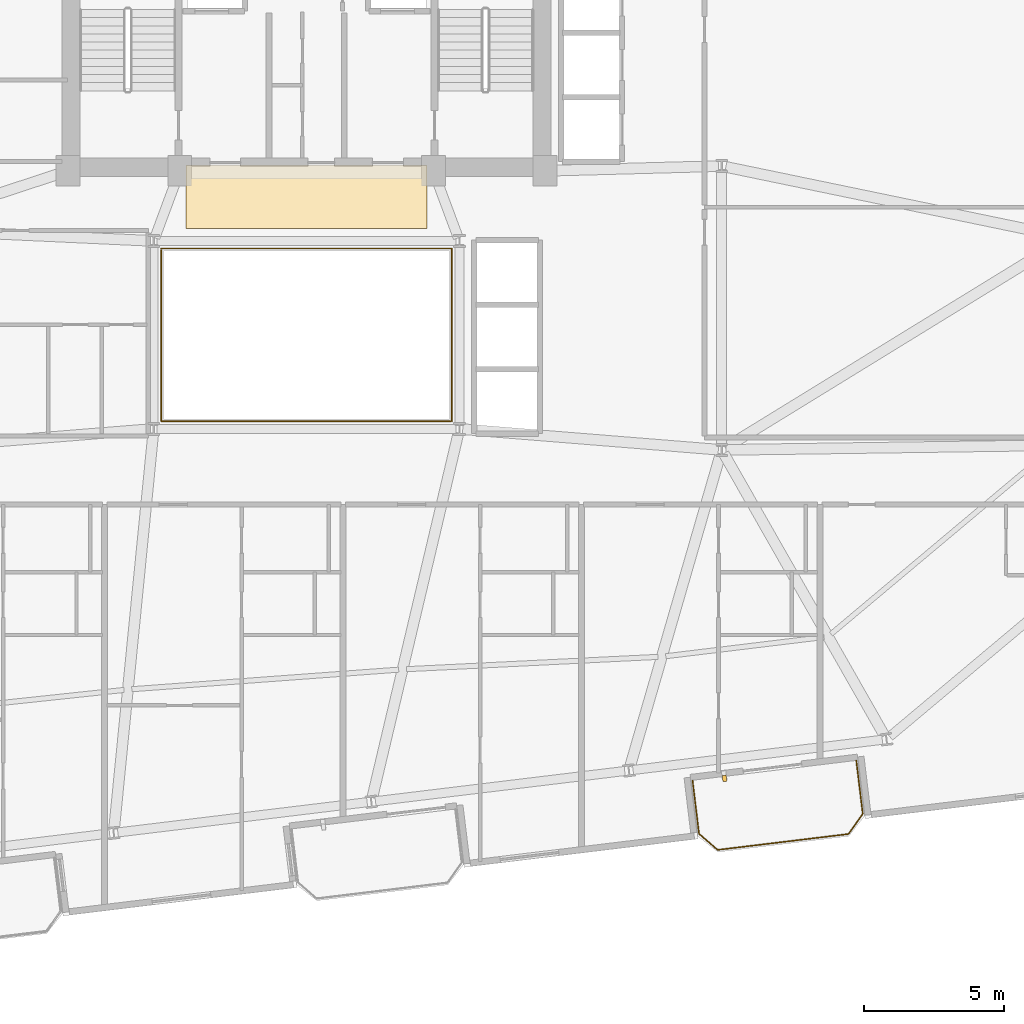
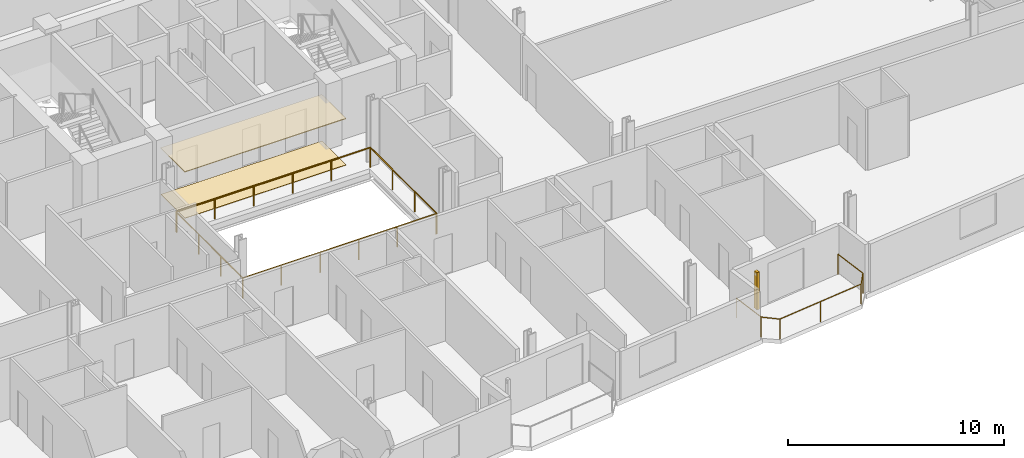
# One storey, part 21 of 23: 3 railings, 2 coverings, 1 shading device.
"""IFC4 building model written with IfcOpenShell, lengths in metres."""

from ifc_helpers import new_model, si_unit, direction, frame, origin, origin_2d, place, context, subcontext, project, spatial, rectangle, circle, extrude, source, transform, mapped, material, layer, layer_set, type_object, element, save


model = new_model("IFC4")

# Units and contexts
model_context = context("Model", 3, precision=1e-05, world=origin(), true_north=direction((0.0, 1.0)))
body_context = subcontext(model_context, "Body", "Model", "MODEL_VIEW")
ifc_project = project(units=[si_unit("LENGTHUNIT", "METRE"), si_unit("AREAUNIT", "SQUARE_METRE"), si_unit("VOLUMEUNIT", "CUBIC_METRE"), si_unit("PLANEANGLEUNIT", "RADIAN"), si_unit("MASSUNIT", "GRAM", prefix="KILO")], contexts=[model_context])

# Site, building, storey
site_placement = place(None, origin())
site = spatial("IfcSite", under=ifc_project, at=site_placement, CompositionType="ELEMENT")
building_placement = place(site_placement, origin())
building = spatial("IfcBuilding", under=site, at=building_placement, Name="Varnelok Gate Tower", CompositionType="ELEMENT")
storey_placement = place(building_placement, frame((0.0, 0.0, 189.39990234375)))
storey = spatial("IfcBuildingStorey", under=building, at=storey_placement, Name="L48", CompositionType="ELEMENT", Elevation=189.39990234375)

# Railings
ifc_material_1 = material(Name="Tempered Laminated Balustrade Glass", Category="glass")
railing_type_1 = type_object("IfcRailingType", Name="RL-ATR-GUARD1150", PredefinedType="GUARDRAIL", material=ifc_material_1)
railing_1_placement = place(storey_placement, frame((34.02001953125, 25.929931640625, 0.0)))
element("IfcRailing", 1, at=railing_1_placement, inside=storey, type_object=railing_type_1, Name="L48 Internal Atrium South-West Guardrail", PredefinedType="GUARDRAIL", context=body_context, shape_type="SweptSolid", body=[
    extrude(circle(Radius=0.02392578125, at=origin_2d()), frame((0.0, 0.0, 1.1259765625), z_axis=(0.0, -1.0, 0.0), x_axis=(1.0, 0.0, 0.0)), (0.0, 0.0, 1.0), 6.10986328125),
    extrude(circle(Radius=0.02392578125, at=origin_2d()), frame((0.0, -6.10986328125, 1.1259765625), z_axis=(1.0, 0.0, 0.0), x_axis=(0.0, 1.0, 0.0)), (0.0, 0.0, 1.0), 10.31005859375),
    extrude(circle(Radius=0.02099609375, at=origin_2d()), origin(), (0.0, 0.0, 1.0), 1.101806640625),
    extrude(circle(Radius=0.02099609375, at=origin_2d()), frame((0.0, -2.03662109375, 0.0)), (0.0, 0.0, 1.0), 1.101806640625),
    extrude(circle(Radius=0.02099609375, at=origin_2d()), frame((0.0, -4.0732421875, 0.0)), (0.0, 0.0, 1.0), 1.101806640625),
    extrude(circle(Radius=0.02099609375, at=origin_2d()), frame((0.0, -6.10986328125, 0.0)), (0.0, 0.0, 1.0), 1.101806640625),
    extrude(circle(Radius=0.02099609375, at=origin_2d()), frame((2.06201171875, -6.10986328125, 0.0)), (0.0, 0.0, 1.0), 1.101806640625),
    extrude(circle(Radius=0.02099609375, at=origin_2d()), frame((4.1240234375, -6.10986328125, 0.0)), (0.0, 0.0, 1.0), 1.101806640625),
    extrude(circle(Radius=0.02099609375, at=origin_2d()), frame((6.18603515625, -6.10986328125, 0.0)), (0.0, 0.0, 1.0), 1.101806640625),
    extrude(circle(Radius=0.02099609375, at=origin_2d()), frame((8.248046875, -6.10986328125, 0.0)), (0.0, 0.0, 1.0), 1.101806640625),
    extrude(circle(Radius=0.02099609375, at=origin_2d()), frame((10.31005859375, -6.10986328125, 0.0)), (0.0, 0.0, 1.0), 1.101806640625),
])
railing_2_placement = place(storey_placement, frame((44.3798828125, 19.820068359375, 0.0)))
element("IfcRailing", 2, at=railing_2_placement, inside=storey, type_object=railing_type_1, Name="L48 Internal Atrium North-East Guardrail", PredefinedType="GUARDRAIL", context=body_context, shape_type="SweptSolid", body=[
    extrude(circle(Radius=0.02392578125, at=origin_2d()), frame((0.0, 0.0, 1.1259765625), z_axis=(0.0, 1.0, 0.0), x_axis=(-1.0, 0.0, 0.0)), (0.0, 0.0, 1.0), 6.159912109375),
    extrude(circle(Radius=0.02392578125, at=origin_2d()), frame((0.0, 6.159912109375, 1.1259765625), z_axis=(-1.0, 0.0, 0.0), x_axis=(0.0, -1.0, 0.0)), (0.0, 0.0, 1.0), 10.35986328125),
    extrude(circle(Radius=0.02099609375, at=origin_2d()), origin(), (0.0, 0.0, 1.0), 1.101806640625),
    extrude(circle(Radius=0.02099609375, at=origin_2d()), frame((0.0, 2.05322265625, 0.0)), (0.0, 0.0, 1.0), 1.101806640625),
    extrude(circle(Radius=0.02099609375, at=origin_2d()), frame((0.0, 4.106689453125, 0.0)), (0.0, 0.0, 1.0), 1.101806640625),
    extrude(circle(Radius=0.02099609375, at=origin_2d()), frame((0.0, 6.159912109375, 0.0)), (0.0, 0.0, 1.0), 1.101806640625),
    extrude(circle(Radius=0.02099609375, at=origin_2d()), frame((-2.072021484375, 6.159912109375, 0.0)), (0.0, 0.0, 1.0), 1.101806640625),
    extrude(circle(Radius=0.02099609375, at=origin_2d()), frame((-4.14404296875, 6.159912109375, 0.0)), (0.0, 0.0, 1.0), 1.101806640625),
    extrude(circle(Radius=0.02099609375, at=origin_2d()), frame((-6.2158203125, 6.159912109375, 0.0)), (0.0, 0.0, 1.0), 1.101806640625),
    extrude(circle(Radius=0.02099609375, at=origin_2d()), frame((-8.287841796875, 6.159912109375, 0.0)), (0.0, 0.0, 1.0), 1.101806640625),
    extrude(circle(Radius=0.02099609375, at=origin_2d()), frame((-10.35986328125, 6.159912109375, 0.0)), (0.0, 0.0, 1.0), 1.101806640625),
])
ifc_material_2 = material(Name="Low-E Laminated Double Glazing IGU", Category="glass")
railing_type_2 = type_object("IfcRailingType", Name="RL-BALC-1150", PredefinedType="BALUSTRADE", material=ifc_material_2)
railing_3_placement = place(storey_placement, frame((52.95947265625, 7.023193359375, 0.0)))
element("IfcRailing", 3, at=railing_3_placement, inside=storey, type_object=railing_type_2, Name="L48 South Terrace Balustrade 3", PredefinedType="BALUSTRADE", context=body_context, shape_type="SweptSolid", body=[
    extrude(circle(Radius=0.02392578125, at=origin_2d()), frame((0.0, 0.0, 1.1259765625), z_axis=(0.12040351024, -0.992725034802, 0.0), x_axis=(0.992725034802, 0.12040351024, 0.0)), (0.0, 0.0, 1.0), 1.920166015625),
    extrude(circle(Radius=0.02392578125, at=origin_2d()), frame((0.231201171875, -1.90625, 1.1259765625), z_axis=(0.756303655992, -0.654220742513, 0.0), x_axis=(0.654220742513, 0.756303655992, 0.0)), (0.0, 0.0, 1.0), 0.877685546875),
    extrude(circle(Radius=0.02392578125, at=origin_2d()), frame((0.89501953125, -2.48046875, 1.1259765625), z_axis=(0.99273133746, 0.120351533534, 0.0), x_axis=(-0.120351533534, 0.99273133746, 0.0)), (0.0, 0.0, 1.0), 4.7001953125),
    extrude(circle(Radius=0.02392578125, at=origin_2d()), frame((5.56103515625, -1.914794921875, 1.1259765625), z_axis=(0.577971037086, 0.816057277579, 0.0), x_axis=(-0.816057277579, 0.577971037086, 0.0)), (0.0, 0.0, 1.0), 0.877685546875),
    extrude(circle(Radius=0.02392578125, at=origin_2d()), frame((6.068359375, -1.198486328125, 1.1259765625), z_axis=(-0.120293392036, 0.992738384386, 0.0), x_axis=(-0.992738384386, -0.120293392036, 0.0)), (0.0, 0.0, 1.0), 1.919921875),
    extrude(circle(Radius=0.02099609375, at=origin_2d()), origin(), (0.0, 0.0, 1.0), 1.101806640625),
    extrude(circle(Radius=0.02099609375, at=origin_2d()), frame((0.231201171875, -1.90625, 0.0)), (0.0, 0.0, 1.0), 1.101806640625),
    extrude(circle(Radius=0.02099609375, at=origin_2d()), frame((0.89501953125, -2.48046875, 0.0)), (0.0, 0.0, 1.0), 1.101806640625),
    extrude(circle(Radius=0.02099609375, at=origin_2d()), frame((3.22802734375, -2.19775390625, 0.0)), (0.0, 0.0, 1.0), 1.101806640625),
    extrude(circle(Radius=0.02099609375, at=origin_2d()), frame((5.56103515625, -1.914794921875, 0.0)), (0.0, 0.0, 1.0), 1.101806640625),
    extrude(circle(Radius=0.02099609375, at=origin_2d()), frame((6.068359375, -1.198486328125, 0.0)), (0.0, 0.0, 1.0), 1.101806640625),
    extrude(circle(Radius=0.02099609375, at=origin_2d()), frame((5.83740234375, 0.70751953125, 0.0)), (0.0, 0.0, 1.0), 1.101806640625),
])

# Shading device
ifc_material_3 = material(Name="Glazed Architectural Terracotta Ceramic", Category="masonry")
shading_device_type = type_object("IfcShadingDeviceType", Name="SHD-TERRA-BAGUETTE", PredefinedType="USERDEFINED", material=ifc_material_3)
shared_shape_1 = source(origin(), body_context, "Body", "SweptSolid", [
    extrude(rectangle(XDim=0.139892578125, YDim=0.219970703125, at=origin_2d()), origin(), (0.0, 0.0, 1.0), 2.10009765625),
])
shading_device_placement = place(storey_placement, frame((54.099609375, 7.0908203125, 0.10009765625), z_axis=(0.0, 0.0, 1.0), x_axis=(0.992732158755, 0.12034475881, 0.0)))
element("IfcShadingDevice", 4, at=shading_device_placement, inside=storey, type_object=shading_device_type, Name="L48 Terracotta Ceramic Baguette Sunscreen 3.1", ObjectType="BAGUETTE", PredefinedType="USERDEFINED", context=body_context, shape_type="MappedRepresentation", body=[
    mapped(shared_shape_1, transform((0.0, 0.0, 0.0), scale=1.0)),
])

# Coverings
ifc_material_4 = material(Name="Honed Travertine Stone Flooring", Category="masonry")
ifc_layer_1 = layer(ifc_material_4, 0.02490234375)
ifc_layer_set_1 = layer_set([ifc_layer_1], Name="Honed Travertine Stone Flooring")
covering_type_1 = type_object("IfcCoveringType", Name="COV-FLOR-STONE", PredefinedType="FLOORING", material=ifc_layer_set_1)
shared_shape_2 = source(origin(), body_context, "Body", "SweptSolid", [
    extrude(rectangle(XDim=8.60009765625, YDim=2.219970703125, at=origin_2d()), origin(), (0.0, 0.0, 1.0), 0.02490234375),
])
covering_1_placement = place(storey_placement, frame((39.199951171875, 27.800048828125, 0.000244140625), z_axis=(0.0, 0.0, 1.0), x_axis=(1.0, 0.0, 0.0)))
element("IfcCovering", 5, at=covering_1_placement, inside=storey, type_object=covering_type_1, Name="L48 Core Gallery Stone Flooring", PredefinedType="FLOORING", context=body_context, shape_type="MappedRepresentation", body=[
    mapped(shared_shape_2, transform((0.0, 0.0, 0.0), scale=1.0)),
])
ifc_material_5 = material(Name="Mineral Fiber Acoustic Ceiling Tile")
ifc_layer_2 = layer(ifc_material_5, 0.0400390625)
ifc_layer_set_2 = layer_set([ifc_layer_2], Name="Mineral Fiber Acoustic Ceiling Tile")
covering_type_2 = type_object("IfcCoveringType", Name="COV-CEIL-ACOUST", PredefinedType="CEILING", material=ifc_layer_set_2)
shared_shape_3 = source(origin(), body_context, "Body", "SweptSolid", [
    extrude(rectangle(XDim=8.60009765625, YDim=2.239990234375, at=origin_2d()), origin(), (0.0, 0.0, 1.0), 0.0400390625),
])
covering_2_placement = place(storey_placement, frame((39.199951171875, 27.820068359375, 2.60009765625), z_axis=(0.0, 0.0, 1.0), x_axis=(1.0, 0.0, 0.0)))
element("IfcCovering", 6, at=covering_2_placement, inside=storey, type_object=covering_type_2, Name="L48 Core Gallery Acoustic Ceiling", PredefinedType="CEILING", context=body_context, shape_type="MappedRepresentation", body=[
    mapped(shared_shape_3, transform((0.0, 0.0, 0.0), scale=1.0)),
])

save(model, "model.ifc")
